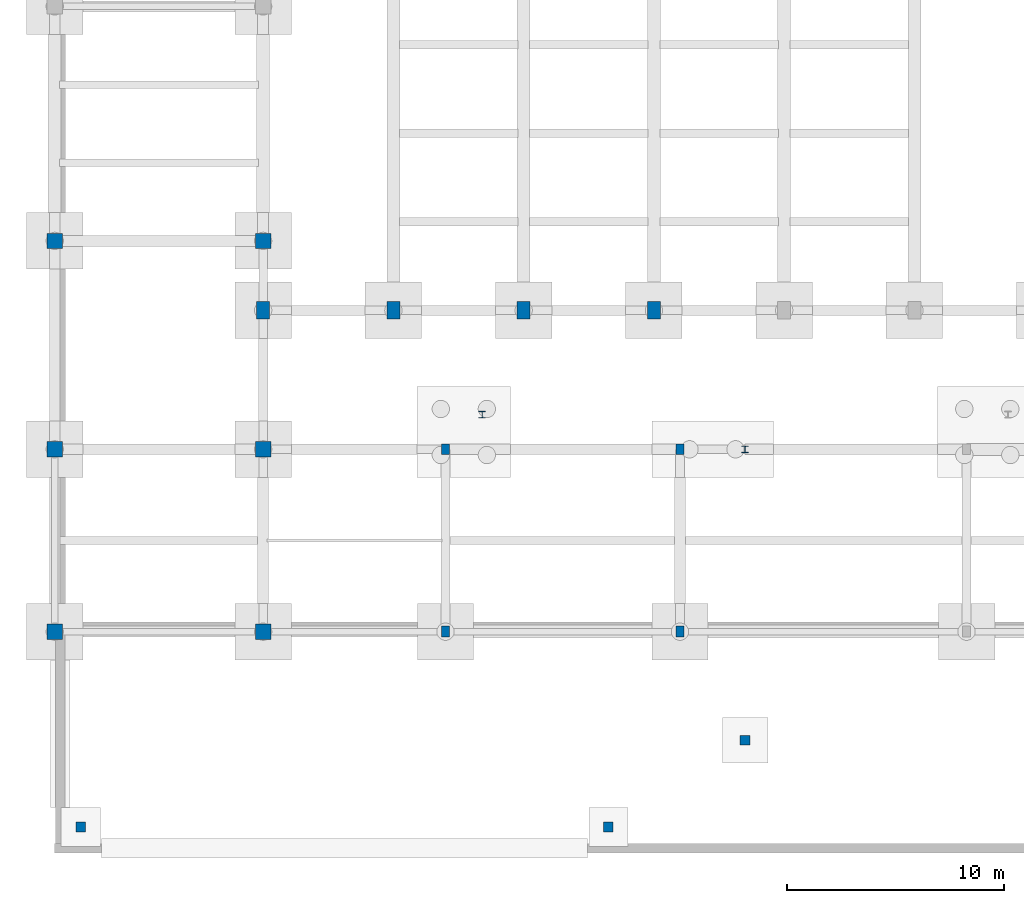
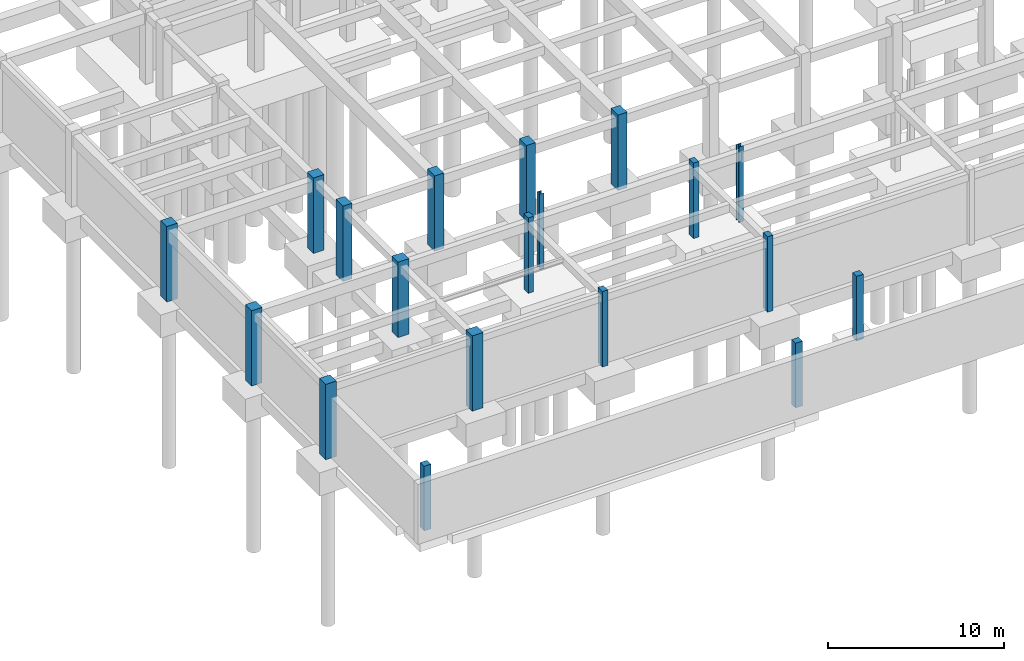
# One storey, part 8 of 37: 19 columns.
"""IFC4 building model written with IfcOpenShell, lengths in metres."""

from ifc_helpers import new_model, si_unit, direction, frame, origin, origin_2d, place, context, subcontext, project, spatial, rectangle, i_section, extrude, material, material_profile, profile_set, type_object, element, save


model = new_model("IFC4")

# Units and contexts
model_context = context("Model", 3, precision=1e-05, world=origin(), true_north=direction((0.0, 1.0)))
body_context = subcontext(model_context, "Body", "Model", "MODEL_VIEW")
ifc_project = project(units=[si_unit("LENGTHUNIT", "METRE"), si_unit("AREAUNIT", "SQUARE_METRE"), si_unit("VOLUMEUNIT", "CUBIC_METRE"), si_unit("PLANEANGLEUNIT", "RADIAN"), si_unit("MASSUNIT", "GRAM", prefix="KILO")], contexts=[model_context])

# Site, building, storey
site_placement = place(None, origin())
site = spatial("IfcSite", under=ifc_project, at=site_placement, CompositionType="ELEMENT")
building_placement = place(site_placement, origin())
building = spatial("IfcBuilding", under=site, at=building_placement, Name="Tarnavel Promenade Courthouse", CompositionType="ELEMENT")
storey_placement = place(building_placement, frame((0.0, 0.0, -4.800048828125)))
storey = spatial("IfcBuildingStorey", under=building, at=storey_placement, Name="B01", CompositionType="ELEMENT", Elevation=-4.800048828125)

# Columns
ifc_material_1 = material(Name="Concrete C40/50", Category="concrete")
ifc_material_profile_1 = material_profile(ifc_material_1, rectangle(XDim=0.35009765625, YDim=0.5, at=origin_2d()), Name="RC 350x500")
ifc_profile_set_1 = profile_set([ifc_material_profile_1], Name="Concrete C40/50")
column_type_1 = type_object("IfcColumnType", Name="Concrete C40/50 COL-PIL-350x500 (RC 350x500)", PredefinedType="PILASTER", material=ifc_profile_set_1)
for number, where, z_axis, x_axis, name in (
    (1, (18.0, 0.0, -0.419921875), (0.0, 0.0, 1.0), (1.0, 0.0, 0.0), "B01 Structural Column 1086"),
    (2, (18.0, 8.39990234375, -0.419921875), (0.0, 0.0, 1.0), (1.0, 0.0, 0.0), "B01 Structural Column 1087"),
    (3, (28.800048828125, 0.0, -0.419921875), (0.0, 0.0, 1.0), (1.0, 0.0, 0.0), "B01 Structural Column 1088"),
    (4, (28.800048828125, 8.39990234375, -0.419921875), (0.0, 0.0, 1.0), (1.0, 0.0, 0.0), "B01 Structural Column 1089"),
):
    element("IfcColumn", number, at=place(storey_placement, frame(where, z_axis=z_axis, x_axis=x_axis)), inside=storey, type_object=column_type_1, Name=name, PredefinedType="PILASTER", context=body_context, shape_type="SweptSolid", body=[
        extrude(rectangle(XDim=0.35009765625, YDim=0.5, at=origin_2d()), origin(), (0.0, 0.0, 1.0), 5.219970703125),
    ])
ifc_material_profile_2 = material_profile(ifc_material_1, rectangle(XDim=0.449951171875, YDim=0.449951171875, at=origin_2d()), Name="RC 450x450")
ifc_profile_set_2 = profile_set([ifc_material_profile_2], Name="Concrete C40/50")
column_type_2 = type_object("IfcColumnType", Name="Concrete C40/50 COL-RC450-PAV (RC 450x450)", PredefinedType="COLUMN", material=ifc_profile_set_2)
for number, where, z_axis, x_axis, name in (
    (5, (25.5, -9.0, -0.419921875), (0.0, 0.0, 1.0), (1.0, 0.0, 0.0), "Plinth Frost Pedestal 01"),
    (6, (31.800048828125, -5.0, -0.419921875), (0.0, 0.0, 1.0), (1.0, 0.0, 0.0), "Plinth Frost Pedestal 02"),
    (7, (1.199951171875, -9.0, -0.419921875), (0.0, 0.0, 1.0), (1.0, 0.0, 0.0), "Plinth Frost Pedestal 09"),
):
    element("IfcColumn", number, at=place(storey_placement, frame(where, z_axis=z_axis, x_axis=x_axis)), inside=storey, type_object=column_type_2, Name=name, PredefinedType="COLUMN", context=body_context, shape_type="SweptSolid", body=[
        extrude(rectangle(XDim=0.449951171875, YDim=0.449951171875, at=origin_2d()), origin(), (0.0, 0.0, 1.0), 4.469970703125),
    ])
ifc_material_profile_3 = material_profile(ifc_material_1, rectangle(XDim=0.60009765625, YDim=0.800048828125, at=origin_2d()), Name="RC 600x800")
ifc_profile_set_3 = profile_set([ifc_material_profile_3], Name="Concrete C40/50")
column_type_3 = type_object("IfcColumnType", Name="Concrete C40/50 COL-RC600x800 (RC 600x800)", PredefinedType="COLUMN", material=ifc_profile_set_3)
for number, where, z_axis, x_axis, name in (
    (8, (9.60009765625, 14.800048828125, -0.419921875), (0.0, 0.0, 1.0), (1.0, 0.0, 0.0), "B01 Structural Column 0646"),
    (9, (15.60009765625, 14.800048828125, -0.419921875), (0.0, 0.0, 1.0), (1.0, 0.0, 0.0), "B01 Structural Column 0654"),
    (10, (21.60009765625, 14.800048828125, -0.419921875), (0.0, 0.0, 1.0), (1.0, 0.0, 0.0), "B01 Structural Column 0662"),
    (11, (27.60009765625, 14.800048828125, -0.419921875), (0.0, 0.0, 1.0), (1.0, 0.0, 0.0), "B01 Structural Column 0670"),
):
    element("IfcColumn", number, at=place(storey_placement, frame(where, z_axis=z_axis, x_axis=x_axis)), inside=storey, type_object=column_type_3, Name=name, PredefinedType="COLUMN", context=body_context, shape_type="SweptSolid", body=[
        extrude(rectangle(XDim=0.60009765625, YDim=0.800048828125, at=origin_2d()), origin(), (0.0, 0.0, 1.0), 5.219970703125),
    ])
ifc_material_profile_4 = material_profile(ifc_material_1, rectangle(XDim=0.699951171875, YDim=0.699951171875, at=origin_2d()), Name="RC 700x700")
ifc_profile_set_4 = profile_set([ifc_material_profile_4], Name="Concrete C40/50")
column_type_4 = type_object("IfcColumnType", Name="Concrete C40/50 COL-RC700-MID (RC 700x700)", PredefinedType="COLUMN", material=ifc_profile_set_4)
for number, where, z_axis, x_axis, name in (
    (12, (0.0, 0.0, -0.419921875), (0.0, 0.0, 1.0), (1.0, 0.0, 0.0), "B01 Structural Column 0614"),
    (13, (0.0, 8.39990234375, -0.419921875), (0.0, 0.0, 1.0), (1.0, 0.0, 0.0), "B01 Structural Column 0618"),
    (14, (0.0, 18.0, -0.419921875), (0.0, 0.0, 1.0), (1.0, 0.0, 0.0), "B01 Structural Column 0622"),
    (15, (9.60009765625, 0.0, -0.419921875), (0.0, 0.0, 1.0), (1.0, 0.0, 0.0), "B01 Structural Column 0630"),
    (16, (9.60009765625, 8.39990234375, -0.419921875), (0.0, 0.0, 1.0), (1.0, 0.0, 0.0), "B01 Structural Column 0634"),
    (17, (9.60009765625, 18.0, -0.419921875), (0.0, 0.0, 1.0), (1.0, 0.0, 0.0), "B01 Structural Column 0638"),
):
    element("IfcColumn", number, at=place(storey_placement, frame(where, z_axis=z_axis, x_axis=x_axis)), inside=storey, type_object=column_type_4, Name=name, PredefinedType="COLUMN", context=body_context, shape_type="SweptSolid", body=[
        extrude(rectangle(XDim=0.699951171875, YDim=0.699951171875, at=origin_2d()), origin(), (0.0, 0.0, 1.0), 5.219970703125),
    ])
ifc_material_2 = material(Name="Steel S355J2", Category="steel")
ifc_material_profile_5 = material_profile(ifc_material_2, i_section(OverallWidth=0.300048828125, OverallDepth=0.300048828125, WebThickness=0.010986328125, FlangeThickness=0.01904296875, FilletRadius=0.027099609375, at=origin_2d()), Name="HEB 300")
ifc_profile_set_5 = profile_set([ifc_material_profile_5], Name="Steel S355J2")
column_type_5 = type_object("IfcColumnType", Name="Steel S355J2 COL-STL-HEB300 (HEB 300)", PredefinedType="COLUMN", material=ifc_profile_set_5)
for number, where, z_axis, x_axis, name in (
    (18, (19.687255859375, 9.99462890625, -0.419921875), (0.0, 0.0, 1.0), (1.0, 0.0, 0.0), "B01 Structural Column 0710"),
    (19, (31.800048828125, 8.39990234375, -0.419921875), (0.0, 0.0, 1.0), (1.0, 0.0, 0.0), "B01 Structural Column 0714"),
):
    element("IfcColumn", number, at=place(storey_placement, frame(where, z_axis=z_axis, x_axis=x_axis)), inside=storey, type_object=column_type_5, Name=name, PredefinedType="COLUMN", context=body_context, shape_type="SweptSolid", body=[
        extrude(i_section(OverallWidth=0.300048828125, OverallDepth=0.300048828125, WebThickness=0.010986328125, FlangeThickness=0.01904296875, FilletRadius=0.027099609375, at=origin_2d()), origin(), (0.0, 0.0, 1.0), 5.219970703125),
    ])

save(model, "model.ifc")
